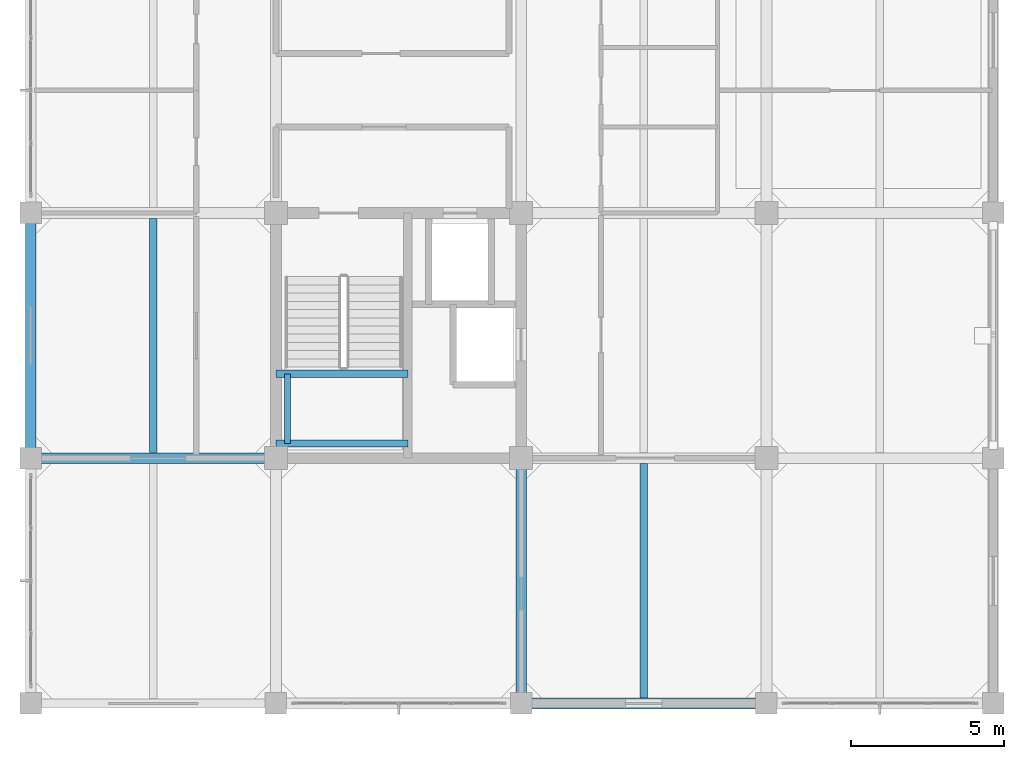
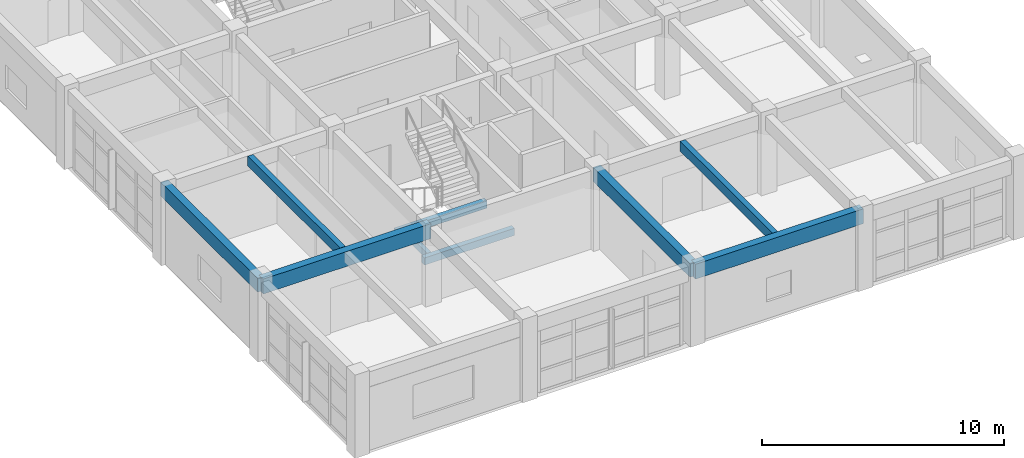
# One storey, part 4 of 19: 9 beams.
"""IFC4 building model written with IfcOpenShell, lengths in metres."""

from ifc_helpers import new_model, si_unit, direction, frame, origin, origin_2d, place, context, subcontext, project, spatial, rectangle, extrude, material, material_profile, profile_set, type_object, element, save


model = new_model("IFC4")

# Units and contexts
model_context = context("Model", 3, precision=1e-05, world=origin(), true_north=direction((0.0, 1.0)))
body_context = subcontext(model_context, "Body", "Model", "MODEL_VIEW")
ifc_project = project(units=[si_unit("LENGTHUNIT", "METRE"), si_unit("AREAUNIT", "SQUARE_METRE"), si_unit("VOLUMEUNIT", "CUBIC_METRE"), si_unit("PLANEANGLEUNIT", "RADIAN"), si_unit("MASSUNIT", "GRAM", prefix="KILO")], contexts=[model_context])

# Site, building, storey
site_placement = place(None, origin())
site = spatial("IfcSite", under=ifc_project, at=site_placement, CompositionType="ELEMENT")
building_placement = place(site_placement, origin())
building = spatial("IfcBuilding", under=site, at=building_placement, Name="Canggui Botanical Conservatory", CompositionType="ELEMENT")
storey_placement = place(building_placement, frame((0.0, 0.0, 44.39990234375)))
storey = spatial("IfcBuildingStorey", under=building, at=storey_placement, Name="L11", CompositionType="ELEMENT", Elevation=44.39990234375)

# Beams
ifc_material = material(Name="Concrete C35", Category="concrete")
ifc_material_profile_1 = material_profile(ifc_material, rectangle(XDim=0.25, YDim=0.5, at=origin_2d()), Name="RB 250x500")
ifc_profile_set_1 = profile_set([ifc_material_profile_1], Name="Concrete C35")
beam_type_1 = type_object("IfcBeamType", Name="BM-JST04", PredefinedType="JOIST", material=ifc_profile_set_1)
for number, where, z_axis, x_axis, name in (
    (1, (150.0, 42.179931640625, 3.710205078125), (0.0, 1.0, 0.0), (-1.0, 0.0, 0.0), "Secondary Floor Joist L11-1-2"),
    (2, (166.0, 34.179931640625, 3.710205078125), (0.0, 1.0, 0.0), (-1.0, 0.0, 0.0), "Secondary Floor Joist L11-3-1"),
):
    element("IfcBeam", number, at=place(storey_placement, frame(where, z_axis=z_axis, x_axis=x_axis)), inside=storey, type_object=beam_type_1, Name=name, PredefinedType="JOIST", context=body_context, shape_type="SweptSolid", body=[
        extrude(rectangle(XDim=0.25, YDim=0.5, at=origin_2d()), origin(), (0.0, 0.0, 1.0), 7.64013671875),
    ])
ifc_material_profile_2 = material_profile(ifc_material, rectangle(XDim=0.35009765625, YDim=0.75, at=origin_2d()), Name="RB 350x750")
ifc_profile_set_2 = profile_set([ifc_material_profile_2], Name="Concrete C35")
beam_type_2 = type_object("IfcBeamType", Name="BM-KL16", PredefinedType="BEAM", material=ifc_profile_set_2)
for number, where, z_axis, x_axis, name in (
    (3, (162.0, 34.0, 3.585205078125), (1.0, 0.0, 0.0), (0.0, 1.0, 0.0), "Frame Girder L11 Y34-3"),
    (4, (146.0, 42.0, 3.585205078125), (1.0, 0.0, 0.0), (0.0, 1.0, 0.0), "Frame Girder L11 Y42-1"),
):
    element("IfcBeam", number, at=place(storey_placement, frame(where, z_axis=z_axis, x_axis=x_axis)), inside=storey, type_object=beam_type_2, Name=name, PredefinedType="BEAM", context=body_context, shape_type="SweptSolid", body=[
        extrude(rectangle(XDim=0.35009765625, YDim=0.75, at=origin_2d()), origin(), (0.0, 0.0, 1.0), 8.0),
    ])
ifc_material_profile_3 = material_profile(ifc_material, rectangle(XDim=0.35009765625, YDim=0.699951171875, at=origin_2d()), Name="RB 350x700")
ifc_profile_set_3 = profile_set([ifc_material_profile_3], Name="Concrete C35")
beam_type_3 = type_object("IfcBeamType", Name="BM-KL17", PredefinedType="BEAM", material=ifc_profile_set_3)
for number, where, z_axis, x_axis, name in (
    (5, (146.0, 42.0, 3.610107421875), (0.0, 1.0, 0.0), (-1.0, 0.0, 0.0), "Frame Girder L11 X146-2"),
    (6, (162.0, 34.0, 3.610107421875), (0.0, 1.0, 0.0), (-1.0, 0.0, 0.0), "Frame Girder L11 X162-1"),
):
    element("IfcBeam", number, at=place(storey_placement, frame(where, z_axis=z_axis, x_axis=x_axis)), inside=storey, type_object=beam_type_3, Name=name, PredefinedType="BEAM", context=body_context, shape_type="SweptSolid", body=[
        extrude(rectangle(XDim=0.35009765625, YDim=0.699951171875, at=origin_2d()), origin(), (0.0, 0.0, 1.0), 8.0),
    ])
ifc_material_profile_4 = material_profile(ifc_material, rectangle(XDim=0.239990234375, YDim=0.360107421875, at=origin_2d()), Name="RB 240x360")
ifc_profile_set_4 = profile_set([ifc_material_profile_4], Name="Concrete C35")
beam_type_4 = type_object("IfcBeamType", Name="BM-LIN01", PredefinedType="LINTEL", material=ifc_profile_set_4)
for number, where, z_axis, x_axis, name in (
    (7, (154.0, 42.47998046875, 1.72021484375), (1.0, 0.0, 0.0), (0.0, 1.0, 0.0), "ST-T1 Half-Landing Ledger Beam L11-1.1"),
    (8, (154.0, 44.75244140625, 1.72021484375), (1.0, 0.0, 0.0), (0.0, 1.0, 0.0), "ST-T1 Half-Landing Ledger Beam L11-1.2"),
):
    element("IfcBeam", number, at=place(storey_placement, frame(where, z_axis=z_axis, x_axis=x_axis)), inside=storey, type_object=beam_type_4, Name=name, PredefinedType="LINTEL", context=body_context, shape_type="SweptSolid", body=[
        extrude(rectangle(XDim=0.239990234375, YDim=0.360107421875, at=origin_2d()), origin(), (0.0, 0.0, 1.0), 4.300048828125),
    ])
ifc_material_profile_5 = material_profile(ifc_material, rectangle(XDim=0.199951171875, YDim=0.320068359375, at=origin_2d()), Name="RB 200x320")
ifc_profile_set_5 = profile_set([ifc_material_profile_5], Name="Concrete C35")
beam_type_5 = type_object("IfcBeamType", Name="BM-LIN02", PredefinedType="LINTEL", material=ifc_profile_set_5)
beam_placement = place(storey_placement, frame((154.3798828125, 42.47998046875, 1.72021484375), z_axis=(0.0, 1.0, 0.0), x_axis=(-1.0, 0.0, 0.0)))
element("IfcBeam", 9, at=beam_placement, inside=storey, type_object=beam_type_5, Name="ST-T1 Half-Landing Edge Ledger L11-1.3", PredefinedType="LINTEL", context=body_context, shape_type="SweptSolid", body=[
    extrude(rectangle(XDim=0.199951171875, YDim=0.320068359375, at=origin_2d()), origin(), (0.0, 0.0, 1.0), 2.2724609375),
])

save(model, "model.ifc")
